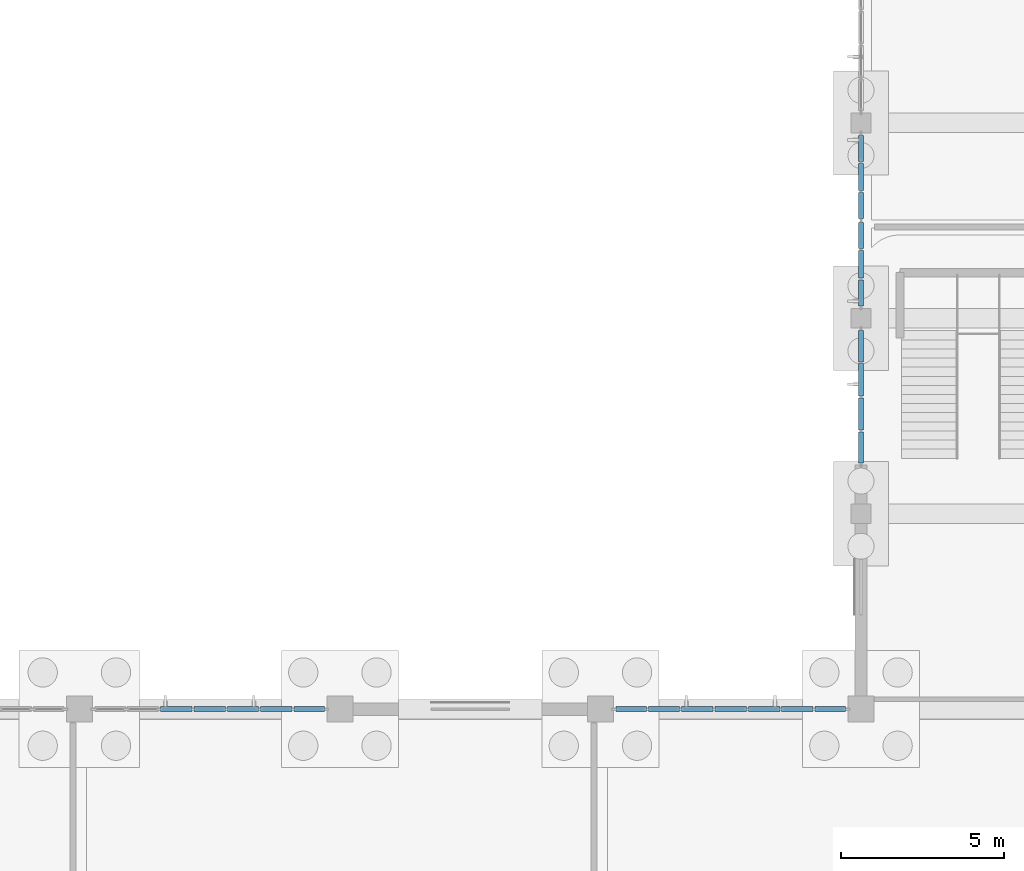
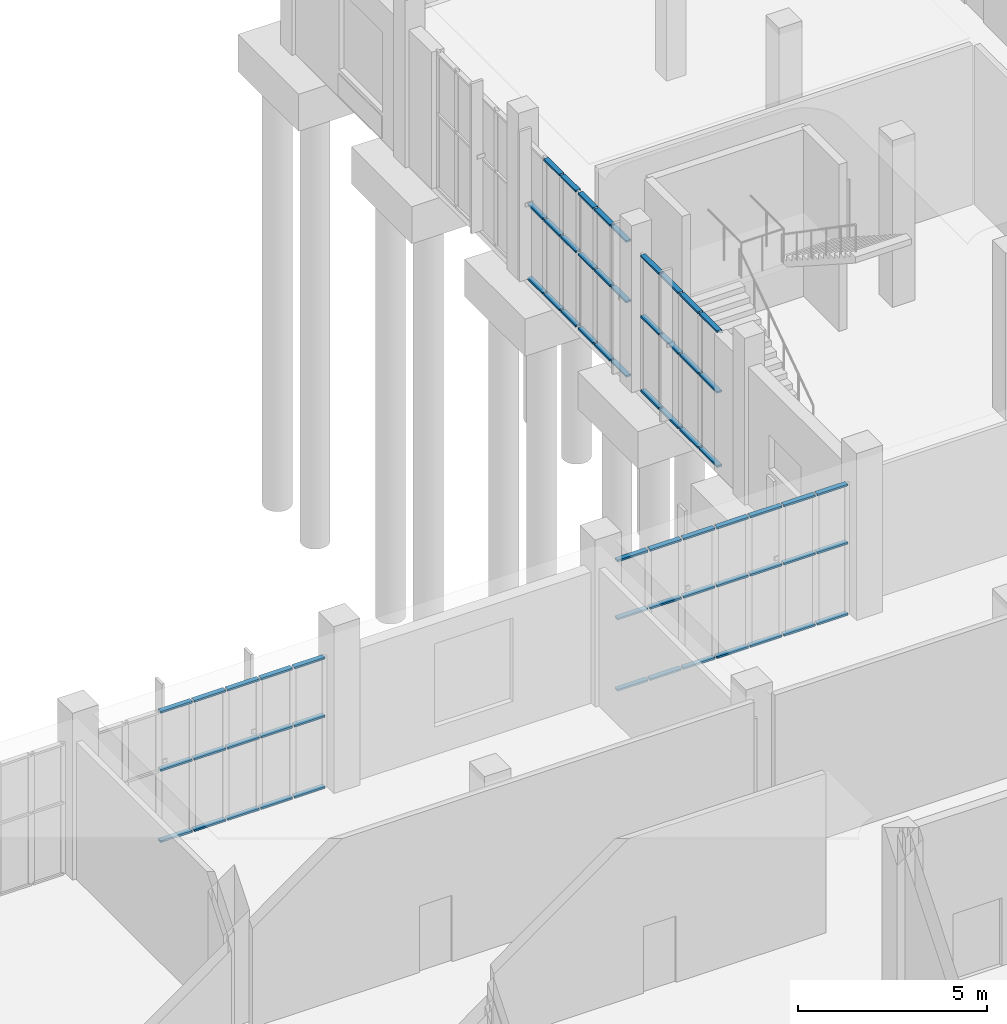
# One storey, part 24 of 69: 65 members, 5 elements without a shape of their own.
"""IFC4 building model written with IfcOpenShell, lengths in metres."""

from ifc_helpers import new_model, si_unit, direction, frame, origin, origin_2d, place, context, subcontext, project, spatial, rectangle, extrude, material, layer, layer_set, material_profile, profile_set, type_object, element, aggregate, save


model = new_model("IFC4")

# Units and contexts
model_context = context("Model", 3, precision=1e-05, world=origin(), true_north=direction((0.0, 1.0)))
body_context = subcontext(model_context, "Body", "Model", "MODEL_VIEW")
ifc_project = project(units=[si_unit("LENGTHUNIT", "METRE"), si_unit("AREAUNIT", "SQUARE_METRE"), si_unit("VOLUMEUNIT", "CUBIC_METRE"), si_unit("PLANEANGLEUNIT", "RADIAN"), si_unit("MASSUNIT", "GRAM", prefix="KILO")], contexts=[model_context])

# Site, building, storey
site_placement = place(None, origin())
site = spatial("IfcSite", under=ifc_project, at=site_placement, CompositionType="ELEMENT")
building_placement = place(site_placement, origin())
building = spatial("IfcBuilding", under=site, at=building_placement, Name="Solvane Community Centre", CompositionType="ELEMENT")
storey_placement = place(building_placement, origin())
storey = spatial("IfcBuildingStorey", under=building, at=storey_placement, Name="L00", CompositionType="ELEMENT", Elevation=0.0)

# Curtain wall, members
ifc_material = material(Name="Anodised bronze aluminium AW-6063 T6", Category="aluminium")
ifc_layer_1 = layer(ifc_material, 0.18994140625)
ifc_layer_set_1 = layer_set([ifc_layer_1], Name="Anodised bronze aluminium AW-6063 T6")
curtain_wall_type_1 = type_object("IfcCurtainWallType", Name="Boulevard Bronze Vision Curtain Wall [72x42dm]", PredefinedType="NOTDEFINED", material=ifc_layer_set_1)
curtain_wall_1_placement = place(storey_placement, origin())
curtain_wall_1 = element("IfcCurtainWall", 1, at=curtain_wall_1_placement, inside=storey, type_object=curtain_wall_type_1, Name="Curtain Wall CW-L00-844_300-024", PredefinedType="NOTDEFINED")
ifc_material_profile = material_profile(ifc_material, rectangle(XDim=0.14990234375, YDim=0.06005859375, at=origin_2d()), Name="CW-T 60x150")
ifc_profile_set = profile_set([ifc_material_profile], Name="Anodised bronze aluminium AW-6063 T6")
member_type = type_object("IfcMemberType", Name="Boulevard Transom 60x150", PredefinedType="USERDEFINED", material=ifc_profile_set)
member_1_placement = place(storey_placement, frame((86.49365234375, 30.0, 0.030029296875), z_axis=(1.0, 0.0, 0.0), x_axis=(0.0, 1.0, 0.0)))
member_1 = element("IfcMember", 2, at=member_1_placement, type_object=member_type, Name="CW02-72x42 transom 3.1", ObjectType="TRANSOM", PredefinedType="USERDEFINED", context=body_context, shape_type="SweptSolid", body=[
    extrude(rectangle(XDim=0.14990234375, YDim=0.06005859375, at=origin_2d()), origin(), (0.0, 0.0, 1.0), 0.964111328125),
])
member_2_placement = place(storey_placement, frame((86.49365234375, 30.0, 2.3349609375), z_axis=(1.0, 0.0, 0.0), x_axis=(0.0, 1.0, 0.0)))
member_2 = element("IfcMember", 3, at=member_2_placement, type_object=member_type, Name="CW02-72x42 transom 3.2", ObjectType="TRANSOM", PredefinedType="USERDEFINED", context=body_context, shape_type="SweptSolid", body=[
    extrude(rectangle(XDim=0.14990234375, YDim=0.06005859375, at=origin_2d()), origin(), (0.0, 0.0, 1.0), 0.964111328125),
])
member_3_placement = place(storey_placement, frame((86.49365234375, 30.0, 4.215087890625), z_axis=(1.0, 0.0, 0.0), x_axis=(0.0, 1.0, 0.0)))
member_3 = element("IfcMember", 4, at=member_3_placement, type_object=member_type, Name="CW02-72x42 transom 3.3", ObjectType="TRANSOM", PredefinedType="USERDEFINED", context=body_context, shape_type="SweptSolid", body=[
    extrude(rectangle(XDim=0.14990234375, YDim=0.06005859375, at=origin_2d()), origin(), (0.0, 0.0, 1.0), 0.964111328125),
])
member_4_placement = place(storey_placement, frame((87.517822265625, 30.0, 0.030029296875), z_axis=(1.0, 0.0, 0.0), x_axis=(0.0, 1.0, 0.0)))
member_4 = element("IfcMember", 5, at=member_4_placement, type_object=member_type, Name="CW02-72x42 transom 4.1", ObjectType="TRANSOM", PredefinedType="USERDEFINED", context=body_context, shape_type="SweptSolid", body=[
    extrude(rectangle(XDim=0.14990234375, YDim=0.06005859375, at=origin_2d()), origin(), (0.0, 0.0, 1.0), 0.96435546875),
])
member_5_placement = place(storey_placement, frame((87.517822265625, 30.0, 2.3349609375), z_axis=(1.0, 0.0, 0.0), x_axis=(0.0, 1.0, 0.0)))
member_5 = element("IfcMember", 6, at=member_5_placement, type_object=member_type, Name="CW02-72x42 transom 4.2", ObjectType="TRANSOM", PredefinedType="USERDEFINED", context=body_context, shape_type="SweptSolid", body=[
    extrude(rectangle(XDim=0.14990234375, YDim=0.06005859375, at=origin_2d()), origin(), (0.0, 0.0, 1.0), 0.96435546875),
])
member_6_placement = place(storey_placement, frame((87.517822265625, 30.0, 4.215087890625), z_axis=(1.0, 0.0, 0.0), x_axis=(0.0, 1.0, 0.0)))
member_6 = element("IfcMember", 7, at=member_6_placement, type_object=member_type, Name="CW02-72x42 transom 4.3", ObjectType="TRANSOM", PredefinedType="USERDEFINED", context=body_context, shape_type="SweptSolid", body=[
    extrude(rectangle(XDim=0.14990234375, YDim=0.06005859375, at=origin_2d()), origin(), (0.0, 0.0, 1.0), 0.96435546875),
])
member_7_placement = place(storey_placement, frame((88.542236328125, 30.0, 0.030029296875), z_axis=(1.0, 0.0, 0.0), x_axis=(0.0, 1.0, 0.0)))
member_7 = element("IfcMember", 8, at=member_7_placement, type_object=member_type, Name="CW02-72x42 transom 5.1", ObjectType="TRANSOM", PredefinedType="USERDEFINED", context=body_context, shape_type="SweptSolid", body=[
    extrude(rectangle(XDim=0.14990234375, YDim=0.06005859375, at=origin_2d()), origin(), (0.0, 0.0, 1.0), 0.964111328125),
])
member_8_placement = place(storey_placement, frame((88.542236328125, 30.0, 2.3349609375), z_axis=(1.0, 0.0, 0.0), x_axis=(0.0, 1.0, 0.0)))
member_8 = element("IfcMember", 9, at=member_8_placement, type_object=member_type, Name="CW02-72x42 transom 5.2", ObjectType="TRANSOM", PredefinedType="USERDEFINED", context=body_context, shape_type="SweptSolid", body=[
    extrude(rectangle(XDim=0.14990234375, YDim=0.06005859375, at=origin_2d()), origin(), (0.0, 0.0, 1.0), 0.964111328125),
])
member_9_placement = place(storey_placement, frame((88.542236328125, 30.0, 4.215087890625), z_axis=(1.0, 0.0, 0.0), x_axis=(0.0, 1.0, 0.0)))
member_9 = element("IfcMember", 10, at=member_9_placement, type_object=member_type, Name="CW02-72x42 transom 5.3", ObjectType="TRANSOM", PredefinedType="USERDEFINED", context=body_context, shape_type="SweptSolid", body=[
    extrude(rectangle(XDim=0.14990234375, YDim=0.06005859375, at=origin_2d()), origin(), (0.0, 0.0, 1.0), 0.964111328125),
])
member_10_placement = place(storey_placement, frame((89.56640625, 30.0, 0.030029296875), z_axis=(1.0, 0.0, 0.0), x_axis=(0.0, 1.0, 0.0)))
member_10 = element("IfcMember", 11, at=member_10_placement, type_object=member_type, Name="CW02-72x42 transom 6.1", ObjectType="TRANSOM", PredefinedType="USERDEFINED", context=body_context, shape_type="SweptSolid", body=[
    extrude(rectangle(XDim=0.14990234375, YDim=0.06005859375, at=origin_2d()), origin(), (0.0, 0.0, 1.0), 0.96435546875),
])
member_11_placement = place(storey_placement, frame((89.56640625, 30.0, 2.3349609375), z_axis=(1.0, 0.0, 0.0), x_axis=(0.0, 1.0, 0.0)))
member_11 = element("IfcMember", 12, at=member_11_placement, type_object=member_type, Name="CW02-72x42 transom 6.2", ObjectType="TRANSOM", PredefinedType="USERDEFINED", context=body_context, shape_type="SweptSolid", body=[
    extrude(rectangle(XDim=0.14990234375, YDim=0.06005859375, at=origin_2d()), origin(), (0.0, 0.0, 1.0), 0.96435546875),
])
member_12_placement = place(storey_placement, frame((89.56640625, 30.0, 4.215087890625), z_axis=(1.0, 0.0, 0.0), x_axis=(0.0, 1.0, 0.0)))
member_12 = element("IfcMember", 13, at=member_12_placement, type_object=member_type, Name="CW02-72x42 transom 6.3", ObjectType="TRANSOM", PredefinedType="USERDEFINED", context=body_context, shape_type="SweptSolid", body=[
    extrude(rectangle(XDim=0.14990234375, YDim=0.06005859375, at=origin_2d()), origin(), (0.0, 0.0, 1.0), 0.96435546875),
])
member_13_placement = place(storey_placement, frame((90.5908203125, 30.0, 0.030029296875), z_axis=(1.0, 0.0, 0.0), x_axis=(0.0, 1.0, 0.0)))
member_13 = element("IfcMember", 14, at=member_13_placement, type_object=member_type, Name="CW02-72x42 transom 7.1", ObjectType="TRANSOM", PredefinedType="USERDEFINED", context=body_context, shape_type="SweptSolid", body=[
    extrude(rectangle(XDim=0.14990234375, YDim=0.06005859375, at=origin_2d()), origin(), (0.0, 0.0, 1.0), 0.93408203125),
])
member_14_placement = place(storey_placement, frame((90.5908203125, 30.0, 2.3349609375), z_axis=(1.0, 0.0, 0.0), x_axis=(0.0, 1.0, 0.0)))
member_14 = element("IfcMember", 15, at=member_14_placement, type_object=member_type, Name="CW02-72x42 transom 7.2", ObjectType="TRANSOM", PredefinedType="USERDEFINED", context=body_context, shape_type="SweptSolid", body=[
    extrude(rectangle(XDim=0.14990234375, YDim=0.06005859375, at=origin_2d()), origin(), (0.0, 0.0, 1.0), 0.93408203125),
])
member_15_placement = place(storey_placement, frame((90.5908203125, 30.0, 4.215087890625), z_axis=(1.0, 0.0, 0.0), x_axis=(0.0, 1.0, 0.0)))
member_15 = element("IfcMember", 16, at=member_15_placement, type_object=member_type, Name="CW02-72x42 transom 7.3", ObjectType="TRANSOM", PredefinedType="USERDEFINED", context=body_context, shape_type="SweptSolid", body=[
    extrude(rectangle(XDim=0.14990234375, YDim=0.06005859375, at=origin_2d()), origin(), (0.0, 0.0, 1.0), 0.93408203125),
])
aggregate(curtain_wall_1, [member_1, member_2, member_3, member_4, member_5, member_6, member_7, member_8, member_9, member_10, member_11, member_12, member_13, member_14, member_15])

curtain_wall_2_placement = place(storey_placement, origin())
curtain_wall_2 = element("IfcCurtainWall", 17, at=curtain_wall_2_placement, inside=storey, type_object=curtain_wall_type_1, Name="Curtain Wall CW-L00-1004_300-025", PredefinedType="NOTDEFINED")
member_16_placement = place(storey_placement, frame((100.47509765625, 30.0, 0.030029296875), z_axis=(1.0, 0.0, 0.0), x_axis=(0.0, 1.0, 0.0)))
member_16 = element("IfcMember", 18, at=member_16_placement, type_object=member_type, Name="CW02-72x42 transom 1.1", ObjectType="TRANSOM", PredefinedType="USERDEFINED", context=body_context, shape_type="SweptSolid", body=[
    extrude(rectangle(XDim=0.14990234375, YDim=0.06005859375, at=origin_2d()), origin(), (0.0, 0.0, 1.0), 0.93408203125),
])
member_17_placement = place(storey_placement, frame((100.47509765625, 30.0, 2.3349609375), z_axis=(1.0, 0.0, 0.0), x_axis=(0.0, 1.0, 0.0)))
member_17 = element("IfcMember", 19, at=member_17_placement, type_object=member_type, Name="CW02-72x42 transom 1.2", ObjectType="TRANSOM", PredefinedType="USERDEFINED", context=body_context, shape_type="SweptSolid", body=[
    extrude(rectangle(XDim=0.14990234375, YDim=0.06005859375, at=origin_2d()), origin(), (0.0, 0.0, 1.0), 0.93408203125),
])
member_18_placement = place(storey_placement, frame((100.47509765625, 30.0, 4.215087890625), z_axis=(1.0, 0.0, 0.0), x_axis=(0.0, 1.0, 0.0)))
member_18 = element("IfcMember", 20, at=member_18_placement, type_object=member_type, Name="CW02-72x42 transom 1.3", ObjectType="TRANSOM", PredefinedType="USERDEFINED", context=body_context, shape_type="SweptSolid", body=[
    extrude(rectangle(XDim=0.14990234375, YDim=0.06005859375, at=origin_2d()), origin(), (0.0, 0.0, 1.0), 0.93408203125),
])
member_19_placement = place(storey_placement, frame((101.46923828125, 30.0, 0.030029296875), z_axis=(1.0, 0.0, 0.0), x_axis=(0.0, 1.0, 0.0)))
member_19 = element("IfcMember", 21, at=member_19_placement, type_object=member_type, Name="CW02-72x42 transom 2.1", ObjectType="TRANSOM", PredefinedType="USERDEFINED", context=body_context, shape_type="SweptSolid", body=[
    extrude(rectangle(XDim=0.14990234375, YDim=0.06005859375, at=origin_2d()), origin(), (0.0, 0.0, 1.0), 0.96435546875),
])
member_20_placement = place(storey_placement, frame((101.46923828125, 30.0, 2.3349609375), z_axis=(1.0, 0.0, 0.0), x_axis=(0.0, 1.0, 0.0)))
member_20 = element("IfcMember", 22, at=member_20_placement, type_object=member_type, Name="CW02-72x42 transom 2.2", ObjectType="TRANSOM", PredefinedType="USERDEFINED", context=body_context, shape_type="SweptSolid", body=[
    extrude(rectangle(XDim=0.14990234375, YDim=0.06005859375, at=origin_2d()), origin(), (0.0, 0.0, 1.0), 0.96435546875),
])
member_21_placement = place(storey_placement, frame((101.46923828125, 30.0, 4.215087890625), z_axis=(1.0, 0.0, 0.0), x_axis=(0.0, 1.0, 0.0)))
member_21 = element("IfcMember", 23, at=member_21_placement, type_object=member_type, Name="CW02-72x42 transom 2.3", ObjectType="TRANSOM", PredefinedType="USERDEFINED", context=body_context, shape_type="SweptSolid", body=[
    extrude(rectangle(XDim=0.14990234375, YDim=0.06005859375, at=origin_2d()), origin(), (0.0, 0.0, 1.0), 0.96435546875),
])
member_22_placement = place(storey_placement, frame((102.49365234375, 30.0, 0.030029296875), z_axis=(1.0, 0.0, 0.0), x_axis=(0.0, 1.0, 0.0)))
member_22 = element("IfcMember", 24, at=member_22_placement, type_object=member_type, Name="CW02-72x42 transom 3.1", ObjectType="TRANSOM", PredefinedType="USERDEFINED", context=body_context, shape_type="SweptSolid", body=[
    extrude(rectangle(XDim=0.14990234375, YDim=0.06005859375, at=origin_2d()), origin(), (0.0, 0.0, 1.0), 0.964111328125),
])
member_23_placement = place(storey_placement, frame((102.49365234375, 30.0, 2.3349609375), z_axis=(1.0, 0.0, 0.0), x_axis=(0.0, 1.0, 0.0)))
member_23 = element("IfcMember", 25, at=member_23_placement, type_object=member_type, Name="CW02-72x42 transom 3.2", ObjectType="TRANSOM", PredefinedType="USERDEFINED", context=body_context, shape_type="SweptSolid", body=[
    extrude(rectangle(XDim=0.14990234375, YDim=0.06005859375, at=origin_2d()), origin(), (0.0, 0.0, 1.0), 0.964111328125),
])
member_24_placement = place(storey_placement, frame((102.49365234375, 30.0, 4.215087890625), z_axis=(1.0, 0.0, 0.0), x_axis=(0.0, 1.0, 0.0)))
member_24 = element("IfcMember", 26, at=member_24_placement, type_object=member_type, Name="CW02-72x42 transom 3.3", ObjectType="TRANSOM", PredefinedType="USERDEFINED", context=body_context, shape_type="SweptSolid", body=[
    extrude(rectangle(XDim=0.14990234375, YDim=0.06005859375, at=origin_2d()), origin(), (0.0, 0.0, 1.0), 0.964111328125),
])
member_25_placement = place(storey_placement, frame((103.517822265625, 30.0, 0.030029296875), z_axis=(1.0, 0.0, 0.0), x_axis=(0.0, 1.0, 0.0)))
member_25 = element("IfcMember", 27, at=member_25_placement, type_object=member_type, Name="CW02-72x42 transom 4.1", ObjectType="TRANSOM", PredefinedType="USERDEFINED", context=body_context, shape_type="SweptSolid", body=[
    extrude(rectangle(XDim=0.14990234375, YDim=0.06005859375, at=origin_2d()), origin(), (0.0, 0.0, 1.0), 0.96435546875),
])
member_26_placement = place(storey_placement, frame((103.517822265625, 30.0, 2.3349609375), z_axis=(1.0, 0.0, 0.0), x_axis=(0.0, 1.0, 0.0)))
member_26 = element("IfcMember", 28, at=member_26_placement, type_object=member_type, Name="CW02-72x42 transom 4.2", ObjectType="TRANSOM", PredefinedType="USERDEFINED", context=body_context, shape_type="SweptSolid", body=[
    extrude(rectangle(XDim=0.14990234375, YDim=0.06005859375, at=origin_2d()), origin(), (0.0, 0.0, 1.0), 0.96435546875),
])
member_27_placement = place(storey_placement, frame((103.517822265625, 30.0, 4.215087890625), z_axis=(1.0, 0.0, 0.0), x_axis=(0.0, 1.0, 0.0)))
member_27 = element("IfcMember", 29, at=member_27_placement, type_object=member_type, Name="CW02-72x42 transom 4.3", ObjectType="TRANSOM", PredefinedType="USERDEFINED", context=body_context, shape_type="SweptSolid", body=[
    extrude(rectangle(XDim=0.14990234375, YDim=0.06005859375, at=origin_2d()), origin(), (0.0, 0.0, 1.0), 0.96435546875),
])
member_28_placement = place(storey_placement, frame((104.542236328125, 30.0, 0.030029296875), z_axis=(1.0, 0.0, 0.0), x_axis=(0.0, 1.0, 0.0)))
member_28 = element("IfcMember", 30, at=member_28_placement, type_object=member_type, Name="CW02-72x42 transom 5.1", ObjectType="TRANSOM", PredefinedType="USERDEFINED", context=body_context, shape_type="SweptSolid", body=[
    extrude(rectangle(XDim=0.14990234375, YDim=0.06005859375, at=origin_2d()), origin(), (0.0, 0.0, 1.0), 0.964111328125),
])
member_29_placement = place(storey_placement, frame((104.542236328125, 30.0, 2.3349609375), z_axis=(1.0, 0.0, 0.0), x_axis=(0.0, 1.0, 0.0)))
member_29 = element("IfcMember", 31, at=member_29_placement, type_object=member_type, Name="CW02-72x42 transom 5.2", ObjectType="TRANSOM", PredefinedType="USERDEFINED", context=body_context, shape_type="SweptSolid", body=[
    extrude(rectangle(XDim=0.14990234375, YDim=0.06005859375, at=origin_2d()), origin(), (0.0, 0.0, 1.0), 0.964111328125),
])
member_30_placement = place(storey_placement, frame((104.542236328125, 30.0, 4.215087890625), z_axis=(1.0, 0.0, 0.0), x_axis=(0.0, 1.0, 0.0)))
member_30 = element("IfcMember", 32, at=member_30_placement, type_object=member_type, Name="CW02-72x42 transom 5.3", ObjectType="TRANSOM", PredefinedType="USERDEFINED", context=body_context, shape_type="SweptSolid", body=[
    extrude(rectangle(XDim=0.14990234375, YDim=0.06005859375, at=origin_2d()), origin(), (0.0, 0.0, 1.0), 0.964111328125),
])
member_31_placement = place(storey_placement, frame((105.56640625, 30.0, 0.030029296875), z_axis=(1.0, 0.0, 0.0), x_axis=(0.0, 1.0, 0.0)))
member_31 = element("IfcMember", 33, at=member_31_placement, type_object=member_type, Name="CW02-72x42 transom 6.1", ObjectType="TRANSOM", PredefinedType="USERDEFINED", context=body_context, shape_type="SweptSolid", body=[
    extrude(rectangle(XDim=0.14990234375, YDim=0.06005859375, at=origin_2d()), origin(), (0.0, 0.0, 1.0), 0.96435546875),
])
member_32_placement = place(storey_placement, frame((105.56640625, 30.0, 2.3349609375), z_axis=(1.0, 0.0, 0.0), x_axis=(0.0, 1.0, 0.0)))
member_32 = element("IfcMember", 34, at=member_32_placement, type_object=member_type, Name="CW02-72x42 transom 6.2", ObjectType="TRANSOM", PredefinedType="USERDEFINED", context=body_context, shape_type="SweptSolid", body=[
    extrude(rectangle(XDim=0.14990234375, YDim=0.06005859375, at=origin_2d()), origin(), (0.0, 0.0, 1.0), 0.96435546875),
])
member_33_placement = place(storey_placement, frame((105.56640625, 30.0, 4.215087890625), z_axis=(1.0, 0.0, 0.0), x_axis=(0.0, 1.0, 0.0)))
member_33 = element("IfcMember", 35, at=member_33_placement, type_object=member_type, Name="CW02-72x42 transom 6.3", ObjectType="TRANSOM", PredefinedType="USERDEFINED", context=body_context, shape_type="SweptSolid", body=[
    extrude(rectangle(XDim=0.14990234375, YDim=0.06005859375, at=origin_2d()), origin(), (0.0, 0.0, 1.0), 0.96435546875),
])
member_34_placement = place(storey_placement, frame((106.5908203125, 30.0, 0.030029296875), z_axis=(1.0, 0.0, 0.0), x_axis=(0.0, 1.0, 0.0)))
member_34 = element("IfcMember", 36, at=member_34_placement, type_object=member_type, Name="CW02-72x42 transom 7.1", ObjectType="TRANSOM", PredefinedType="USERDEFINED", context=body_context, shape_type="SweptSolid", body=[
    extrude(rectangle(XDim=0.14990234375, YDim=0.06005859375, at=origin_2d()), origin(), (0.0, 0.0, 1.0), 0.93408203125),
])
member_35_placement = place(storey_placement, frame((106.5908203125, 30.0, 2.3349609375), z_axis=(1.0, 0.0, 0.0), x_axis=(0.0, 1.0, 0.0)))
member_35 = element("IfcMember", 37, at=member_35_placement, type_object=member_type, Name="CW02-72x42 transom 7.2", ObjectType="TRANSOM", PredefinedType="USERDEFINED", context=body_context, shape_type="SweptSolid", body=[
    extrude(rectangle(XDim=0.14990234375, YDim=0.06005859375, at=origin_2d()), origin(), (0.0, 0.0, 1.0), 0.93408203125),
])
member_36_placement = place(storey_placement, frame((106.5908203125, 30.0, 4.215087890625), z_axis=(1.0, 0.0, 0.0), x_axis=(0.0, 1.0, 0.0)))
member_36 = element("IfcMember", 38, at=member_36_placement, type_object=member_type, Name="CW02-72x42 transom 7.3", ObjectType="TRANSOM", PredefinedType="USERDEFINED", context=body_context, shape_type="SweptSolid", body=[
    extrude(rectangle(XDim=0.14990234375, YDim=0.06005859375, at=origin_2d()), origin(), (0.0, 0.0, 1.0), 0.93408203125),
])
aggregate(curtain_wall_2, [member_16, member_17, member_18, member_19, member_20, member_21, member_22, member_23, member_24, member_25, member_26, member_27, member_28, member_29, member_30, member_31, member_32, member_33, member_34, member_35, member_36])

ifc_layer_2 = layer(ifc_material, 0.18994140625)
ifc_layer_set_2 = layer_set([ifc_layer_2], Name="Anodised bronze aluminium AW-6063 T6")
curtain_wall_type_2 = type_object("IfcCurtainWallType", Name="Boulevard Bronze Vision Curtain Wall [42x44dm]", PredefinedType="NOTDEFINED", material=ifc_layer_set_2)
curtain_wall_3_placement = place(storey_placement, origin())
curtain_wall_3 = element("IfcCurtainWall", 39, at=curtain_wall_3_placement, inside=storey, type_object=curtain_wall_type_2, Name="Curtain Wall CW-L00-1080_375-026", PredefinedType="NOTDEFINED")
member_37_placement = place(storey_placement, frame((108.0, 37.56005859375, 0.030029296875), z_axis=(0.0, 1.0, 0.0), x_axis=(-1.0, 0.0, 0.0)))
member_37 = element("IfcMember", 40, at=member_37_placement, type_object=member_type, Name="CW02-42x44 transom 1.1", ObjectType="TRANSOM", PredefinedType="USERDEFINED", context=body_context, shape_type="SweptSolid", body=[
    extrude(rectangle(XDim=0.14990234375, YDim=0.06005859375, at=origin_2d()), origin(), (0.0, 0.0, 1.0), 0.954833984375),
])
member_38_placement = place(storey_placement, frame((108.0, 37.56005859375, 2.43408203125), z_axis=(0.0, 1.0, 0.0), x_axis=(-1.0, 0.0, 0.0)))
member_38 = element("IfcMember", 41, at=member_38_placement, type_object=member_type, Name="CW02-42x44 transom 1.2", ObjectType="TRANSOM", PredefinedType="USERDEFINED", context=body_context, shape_type="SweptSolid", body=[
    extrude(rectangle(XDim=0.14990234375, YDim=0.06005859375, at=origin_2d()), origin(), (0.0, 0.0, 1.0), 0.954833984375),
])
member_39_placement = place(storey_placement, frame((108.0, 37.56005859375, 4.39501953125), z_axis=(0.0, 1.0, 0.0), x_axis=(-1.0, 0.0, 0.0)))
member_39 = element("IfcMember", 42, at=member_39_placement, type_object=member_type, Name="CW02-42x44 transom 1.3", ObjectType="TRANSOM", PredefinedType="USERDEFINED", context=body_context, shape_type="SweptSolid", body=[
    extrude(rectangle(XDim=0.14990234375, YDim=0.06005859375, at=origin_2d()), origin(), (0.0, 0.0, 1.0), 0.954833984375),
])
member_40_placement = place(storey_placement, frame((108.0, 38.574951171875, 0.030029296875), z_axis=(0.0, 1.0, 0.0), x_axis=(-1.0, 0.0, 0.0)))
member_40 = element("IfcMember", 43, at=member_40_placement, type_object=member_type, Name="CW02-42x44 transom 2.1", ObjectType="TRANSOM", PredefinedType="USERDEFINED", context=body_context, shape_type="SweptSolid", body=[
    extrude(rectangle(XDim=0.14990234375, YDim=0.06005859375, at=origin_2d()), origin(), (0.0, 0.0, 1.0), 0.985107421875),
])
member_41_placement = place(storey_placement, frame((108.0, 38.574951171875, 2.43408203125), z_axis=(0.0, 1.0, 0.0), x_axis=(-1.0, 0.0, 0.0)))
member_41 = element("IfcMember", 44, at=member_41_placement, type_object=member_type, Name="CW02-42x44 transom 2.2", ObjectType="TRANSOM", PredefinedType="USERDEFINED", context=body_context, shape_type="SweptSolid", body=[
    extrude(rectangle(XDim=0.14990234375, YDim=0.06005859375, at=origin_2d()), origin(), (0.0, 0.0, 1.0), 0.985107421875),
])
member_42_placement = place(storey_placement, frame((108.0, 38.574951171875, 4.39501953125), z_axis=(0.0, 1.0, 0.0), x_axis=(-1.0, 0.0, 0.0)))
member_42 = element("IfcMember", 45, at=member_42_placement, type_object=member_type, Name="CW02-42x44 transom 2.3", ObjectType="TRANSOM", PredefinedType="USERDEFINED", context=body_context, shape_type="SweptSolid", body=[
    extrude(rectangle(XDim=0.14990234375, YDim=0.06005859375, at=origin_2d()), origin(), (0.0, 0.0, 1.0), 0.985107421875),
])
member_43_placement = place(storey_placement, frame((108.0, 39.6201171875, 0.030029296875), z_axis=(0.0, 1.0, 0.0), x_axis=(-1.0, 0.0, 0.0)))
member_43 = element("IfcMember", 46, at=member_43_placement, type_object=member_type, Name="CW02-42x44 transom 3.1", ObjectType="TRANSOM", PredefinedType="USERDEFINED", context=body_context, shape_type="SweptSolid", body=[
    extrude(rectangle(XDim=0.14990234375, YDim=0.06005859375, at=origin_2d()), origin(), (0.0, 0.0, 1.0), 0.98486328125),
])
member_44_placement = place(storey_placement, frame((108.0, 39.6201171875, 2.43408203125), z_axis=(0.0, 1.0, 0.0), x_axis=(-1.0, 0.0, 0.0)))
member_44 = element("IfcMember", 47, at=member_44_placement, type_object=member_type, Name="CW02-42x44 transom 3.2", ObjectType="TRANSOM", PredefinedType="USERDEFINED", context=body_context, shape_type="SweptSolid", body=[
    extrude(rectangle(XDim=0.14990234375, YDim=0.06005859375, at=origin_2d()), origin(), (0.0, 0.0, 1.0), 0.98486328125),
])
member_45_placement = place(storey_placement, frame((108.0, 39.6201171875, 4.39501953125), z_axis=(0.0, 1.0, 0.0), x_axis=(-1.0, 0.0, 0.0)))
member_45 = element("IfcMember", 48, at=member_45_placement, type_object=member_type, Name="CW02-42x44 transom 3.3", ObjectType="TRANSOM", PredefinedType="USERDEFINED", context=body_context, shape_type="SweptSolid", body=[
    extrude(rectangle(XDim=0.14990234375, YDim=0.06005859375, at=origin_2d()), origin(), (0.0, 0.0, 1.0), 0.98486328125),
])
member_46_placement = place(storey_placement, frame((108.0, 40.6650390625, 0.030029296875), z_axis=(0.0, 1.0, 0.0), x_axis=(-1.0, 0.0, 0.0)))
member_46 = element("IfcMember", 49, at=member_46_placement, type_object=member_type, Name="CW02-42x44 transom 4.1", ObjectType="TRANSOM", PredefinedType="USERDEFINED", context=body_context, shape_type="SweptSolid", body=[
    extrude(rectangle(XDim=0.14990234375, YDim=0.06005859375, at=origin_2d()), origin(), (0.0, 0.0, 1.0), 0.955078125),
])
member_47_placement = place(storey_placement, frame((108.0, 40.6650390625, 2.43408203125), z_axis=(0.0, 1.0, 0.0), x_axis=(-1.0, 0.0, 0.0)))
member_47 = element("IfcMember", 50, at=member_47_placement, type_object=member_type, Name="CW02-42x44 transom 4.2", ObjectType="TRANSOM", PredefinedType="USERDEFINED", context=body_context, shape_type="SweptSolid", body=[
    extrude(rectangle(XDim=0.14990234375, YDim=0.06005859375, at=origin_2d()), origin(), (0.0, 0.0, 1.0), 0.955078125),
])
member_48_placement = place(storey_placement, frame((108.0, 40.6650390625, 4.39501953125), z_axis=(0.0, 1.0, 0.0), x_axis=(-1.0, 0.0, 0.0)))
member_48 = element("IfcMember", 51, at=member_48_placement, type_object=member_type, Name="CW02-42x44 transom 4.3", ObjectType="TRANSOM", PredefinedType="USERDEFINED", context=body_context, shape_type="SweptSolid", body=[
    extrude(rectangle(XDim=0.14990234375, YDim=0.06005859375, at=origin_2d()), origin(), (0.0, 0.0, 1.0), 0.955078125),
])
aggregate(curtain_wall_3, [member_37, member_38, member_39, member_40, member_41, member_42, member_43, member_44, member_45, member_46, member_47, member_48])

ifc_layer_3 = layer(ifc_material, 0.18994140625)
ifc_layer_set_3 = layer_set([ifc_layer_3], Name="Anodised bronze aluminium AW-6063 T6")
curtain_wall_type_3 = type_object("IfcCurtainWallType", Name="Boulevard Bronze Vision Curtain Wall [27x44dm]", PredefinedType="NOTDEFINED", material=ifc_layer_set_3)
curtain_wall_4_placement = place(storey_placement, origin())
curtain_wall_4 = element("IfcCurtainWall", 52, at=curtain_wall_4_placement, inside=storey, type_object=curtain_wall_type_3, Name="Curtain Wall CW-L00-1080_423-027", PredefinedType="NOTDEFINED")
member_49_placement = place(storey_placement, frame((108.0, 42.3798828125, 0.030029296875), z_axis=(0.0, 1.0, 0.0), x_axis=(-1.0, 0.0, 0.0)))
member_49 = element("IfcMember", 53, at=member_49_placement, type_object=member_type, Name="CW02-27x44 transom 1.1", ObjectType="TRANSOM", PredefinedType="USERDEFINED", context=body_context, shape_type="SweptSolid", body=[
    extrude(rectangle(XDim=0.14990234375, YDim=0.06005859375, at=origin_2d()), origin(), (0.0, 0.0, 1.0), 0.803466796875),
])
member_50_placement = place(storey_placement, frame((108.0, 42.3798828125, 2.43408203125), z_axis=(0.0, 1.0, 0.0), x_axis=(-1.0, 0.0, 0.0)))
member_50 = element("IfcMember", 54, at=member_50_placement, type_object=member_type, Name="CW02-27x44 transom 1.2", ObjectType="TRANSOM", PredefinedType="USERDEFINED", context=body_context, shape_type="SweptSolid", body=[
    extrude(rectangle(XDim=0.14990234375, YDim=0.06005859375, at=origin_2d()), origin(), (0.0, 0.0, 1.0), 0.803466796875),
])
member_51_placement = place(storey_placement, frame((108.0, 42.3798828125, 4.39501953125), z_axis=(0.0, 1.0, 0.0), x_axis=(-1.0, 0.0, 0.0)))
member_51 = element("IfcMember", 55, at=member_51_placement, type_object=member_type, Name="CW02-27x44 transom 1.3", ObjectType="TRANSOM", PredefinedType="USERDEFINED", context=body_context, shape_type="SweptSolid", body=[
    extrude(rectangle(XDim=0.14990234375, YDim=0.06005859375, at=origin_2d()), origin(), (0.0, 0.0, 1.0), 0.803466796875),
])
member_52_placement = place(storey_placement, frame((108.0, 43.243408203125, 0.030029296875), z_axis=(0.0, 1.0, 0.0), x_axis=(-1.0, 0.0, 0.0)))
member_52 = element("IfcMember", 56, at=member_52_placement, type_object=member_type, Name="CW02-27x44 transom 2.1", ObjectType="TRANSOM", PredefinedType="USERDEFINED", context=body_context, shape_type="SweptSolid", body=[
    extrude(rectangle(XDim=0.14990234375, YDim=0.06005859375, at=origin_2d()), origin(), (0.0, 0.0, 1.0), 0.833251953125),
])
member_53_placement = place(storey_placement, frame((108.0, 43.243408203125, 2.43408203125), z_axis=(0.0, 1.0, 0.0), x_axis=(-1.0, 0.0, 0.0)))
member_53 = element("IfcMember", 57, at=member_53_placement, type_object=member_type, Name="CW02-27x44 transom 2.2", ObjectType="TRANSOM", PredefinedType="USERDEFINED", context=body_context, shape_type="SweptSolid", body=[
    extrude(rectangle(XDim=0.14990234375, YDim=0.06005859375, at=origin_2d()), origin(), (0.0, 0.0, 1.0), 0.833251953125),
])
member_54_placement = place(storey_placement, frame((108.0, 43.243408203125, 4.39501953125), z_axis=(0.0, 1.0, 0.0), x_axis=(-1.0, 0.0, 0.0)))
member_54 = element("IfcMember", 58, at=member_54_placement, type_object=member_type, Name="CW02-27x44 transom 2.3", ObjectType="TRANSOM", PredefinedType="USERDEFINED", context=body_context, shape_type="SweptSolid", body=[
    extrude(rectangle(XDim=0.14990234375, YDim=0.06005859375, at=origin_2d()), origin(), (0.0, 0.0, 1.0), 0.833251953125),
])
member_55_placement = place(storey_placement, frame((108.0, 44.13671875, 0.030029296875), z_axis=(0.0, 1.0, 0.0), x_axis=(-1.0, 0.0, 0.0)))
member_55 = element("IfcMember", 59, at=member_55_placement, type_object=member_type, Name="CW02-27x44 transom 3.1", ObjectType="TRANSOM", PredefinedType="USERDEFINED", context=body_context, shape_type="SweptSolid", body=[
    extrude(rectangle(XDim=0.14990234375, YDim=0.06005859375, at=origin_2d()), origin(), (0.0, 0.0, 1.0), 0.80322265625),
])
member_56_placement = place(storey_placement, frame((108.0, 44.13671875, 2.43408203125), z_axis=(0.0, 1.0, 0.0), x_axis=(-1.0, 0.0, 0.0)))
member_56 = element("IfcMember", 60, at=member_56_placement, type_object=member_type, Name="CW02-27x44 transom 3.2", ObjectType="TRANSOM", PredefinedType="USERDEFINED", context=body_context, shape_type="SweptSolid", body=[
    extrude(rectangle(XDim=0.14990234375, YDim=0.06005859375, at=origin_2d()), origin(), (0.0, 0.0, 1.0), 0.80322265625),
])
member_57_placement = place(storey_placement, frame((108.0, 44.13671875, 4.39501953125), z_axis=(0.0, 1.0, 0.0), x_axis=(-1.0, 0.0, 0.0)))
member_57 = element("IfcMember", 61, at=member_57_placement, type_object=member_type, Name="CW02-27x44 transom 3.3", ObjectType="TRANSOM", PredefinedType="USERDEFINED", context=body_context, shape_type="SweptSolid", body=[
    extrude(rectangle(XDim=0.14990234375, YDim=0.06005859375, at=origin_2d()), origin(), (0.0, 0.0, 1.0), 0.80322265625),
])
aggregate(curtain_wall_4, [member_49, member_50, member_51, member_52, member_53, member_54, member_55, member_56, member_57])

curtain_wall_5_placement = place(storey_placement, origin())
curtain_wall_5 = element("IfcCurtainWall", 62, at=curtain_wall_5_placement, inside=storey, type_object=curtain_wall_type_3, Name="Curtain Wall CW-L00-1080_450-028", PredefinedType="NOTDEFINED")
member_58_placement = place(storey_placement, frame((108.0, 45.06005859375, 0.030029296875), z_axis=(0.0, 1.0, 0.0), x_axis=(-1.0, 0.0, 0.0)))
member_58 = element("IfcMember", 63, at=member_58_placement, type_object=member_type, Name="CW02-27x44 transom 1.1", ObjectType="TRANSOM", PredefinedType="USERDEFINED", context=body_context, shape_type="SweptSolid", body=[
    extrude(rectangle(XDim=0.14990234375, YDim=0.06005859375, at=origin_2d()), origin(), (0.0, 0.0, 1.0), 0.80322265625),
])
member_59_placement = place(storey_placement, frame((108.0, 45.06005859375, 2.43408203125), z_axis=(0.0, 1.0, 0.0), x_axis=(-1.0, 0.0, 0.0)))
member_59 = element("IfcMember", 64, at=member_59_placement, type_object=member_type, Name="CW02-27x44 transom 1.2", ObjectType="TRANSOM", PredefinedType="USERDEFINED", context=body_context, shape_type="SweptSolid", body=[
    extrude(rectangle(XDim=0.14990234375, YDim=0.06005859375, at=origin_2d()), origin(), (0.0, 0.0, 1.0), 0.80322265625),
])
member_60_placement = place(storey_placement, frame((108.0, 45.06005859375, 4.39501953125), z_axis=(0.0, 1.0, 0.0), x_axis=(-1.0, 0.0, 0.0)))
member_60 = element("IfcMember", 65, at=member_60_placement, type_object=member_type, Name="CW02-27x44 transom 1.3", ObjectType="TRANSOM", PredefinedType="USERDEFINED", context=body_context, shape_type="SweptSolid", body=[
    extrude(rectangle(XDim=0.14990234375, YDim=0.06005859375, at=origin_2d()), origin(), (0.0, 0.0, 1.0), 0.80322265625),
])
member_61_placement = place(storey_placement, frame((108.0, 45.92333984375, 0.030029296875), z_axis=(0.0, 1.0, 0.0), x_axis=(-1.0, 0.0, 0.0)))
member_61 = element("IfcMember", 66, at=member_61_placement, type_object=member_type, Name="CW02-27x44 transom 2.1", ObjectType="TRANSOM", PredefinedType="USERDEFINED", context=body_context, shape_type="SweptSolid", body=[
    extrude(rectangle(XDim=0.14990234375, YDim=0.06005859375, at=origin_2d()), origin(), (0.0, 0.0, 1.0), 0.833251953125),
])
member_62_placement = place(storey_placement, frame((108.0, 45.92333984375, 2.43408203125), z_axis=(0.0, 1.0, 0.0), x_axis=(-1.0, 0.0, 0.0)))
member_62 = element("IfcMember", 67, at=member_62_placement, type_object=member_type, Name="CW02-27x44 transom 2.2", ObjectType="TRANSOM", PredefinedType="USERDEFINED", context=body_context, shape_type="SweptSolid", body=[
    extrude(rectangle(XDim=0.14990234375, YDim=0.06005859375, at=origin_2d()), origin(), (0.0, 0.0, 1.0), 0.833251953125),
])
member_63_placement = place(storey_placement, frame((108.0, 45.92333984375, 4.39501953125), z_axis=(0.0, 1.0, 0.0), x_axis=(-1.0, 0.0, 0.0)))
member_63 = element("IfcMember", 68, at=member_63_placement, type_object=member_type, Name="CW02-27x44 transom 2.3", ObjectType="TRANSOM", PredefinedType="USERDEFINED", context=body_context, shape_type="SweptSolid", body=[
    extrude(rectangle(XDim=0.14990234375, YDim=0.06005859375, at=origin_2d()), origin(), (0.0, 0.0, 1.0), 0.833251953125),
])
member_64_placement = place(storey_placement, frame((108.0, 46.816650390625, 0.030029296875), z_axis=(0.0, 1.0, 0.0), x_axis=(-1.0, 0.0, 0.0)))
member_64 = element("IfcMember", 69, at=member_64_placement, type_object=member_type, Name="CW02-27x44 transom 3.1", ObjectType="TRANSOM", PredefinedType="USERDEFINED", context=body_context, shape_type="SweptSolid", body=[
    extrude(rectangle(XDim=0.14990234375, YDim=0.06005859375, at=origin_2d()), origin(), (0.0, 0.0, 1.0), 0.803466796875),
])
member_65_placement = place(storey_placement, frame((108.0, 46.816650390625, 2.43408203125), z_axis=(0.0, 1.0, 0.0), x_axis=(-1.0, 0.0, 0.0)))
member_65 = element("IfcMember", 70, at=member_65_placement, type_object=member_type, Name="CW02-27x44 transom 3.2", ObjectType="TRANSOM", PredefinedType="USERDEFINED", context=body_context, shape_type="SweptSolid", body=[
    extrude(rectangle(XDim=0.14990234375, YDim=0.06005859375, at=origin_2d()), origin(), (0.0, 0.0, 1.0), 0.803466796875),
])
aggregate(curtain_wall_5, [member_58, member_59, member_60, member_61, member_62, member_63, member_64, member_65])

save(model, "model.ifc")
